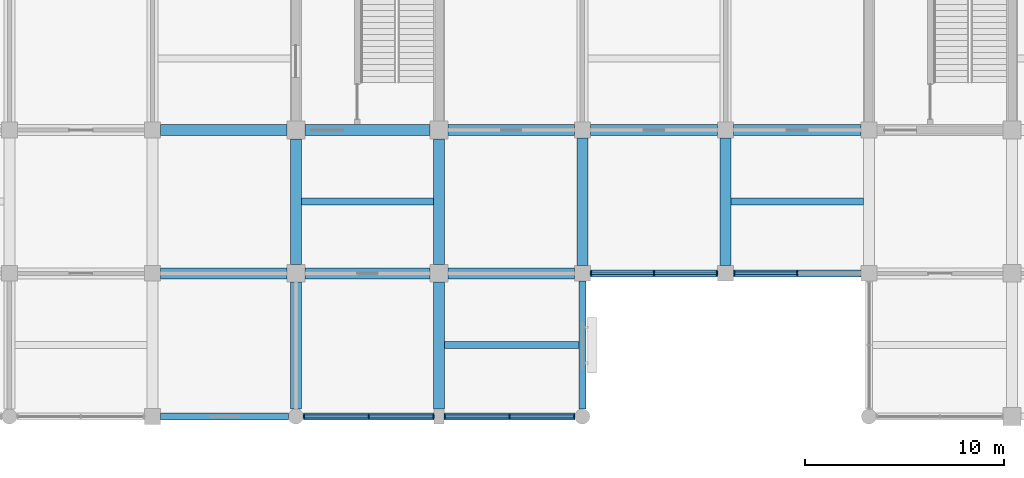
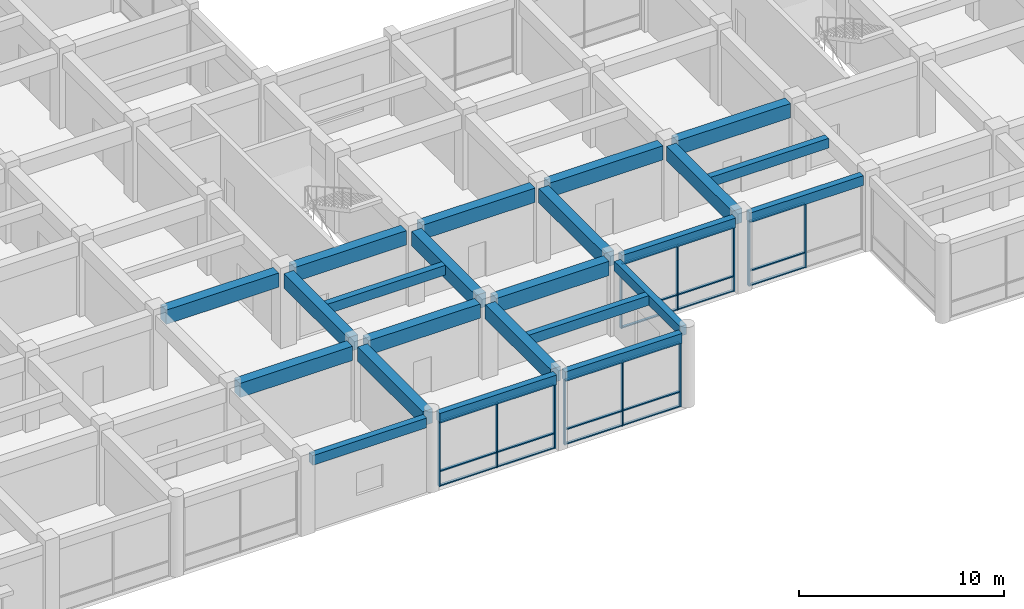
# One storey, part 12 of 75: 32 members, 23 beams, 4 elements without a shape of their own.
"""IFC4 building model written with IfcOpenShell, lengths in metres."""

from ifc_helpers import new_model, si_unit, direction, frame, origin, origin_2d, place, context, subcontext, project, spatial, rectangle, extrude, material, layer, layer_set, material_profile, profile_set, type_object, element, aggregate, save


model = new_model("IFC4")

# Units and contexts
model_context = context("Model", 3, precision=1e-05, world=origin(), true_north=direction((0.0, 1.0)))
body_context = subcontext(model_context, "Body", "Model", "MODEL_VIEW")
ifc_project = project(units=[si_unit("LENGTHUNIT", "METRE"), si_unit("AREAUNIT", "SQUARE_METRE"), si_unit("VOLUMEUNIT", "CUBIC_METRE"), si_unit("PLANEANGLEUNIT", "RADIAN"), si_unit("MASSUNIT", "GRAM", prefix="KILO")], contexts=[model_context])

# Site, building, storey
site_placement = place(None, origin())
site = spatial("IfcSite", under=ifc_project, at=site_placement, CompositionType="ELEMENT")
building_placement = place(site_placement, origin())
building = spatial("IfcBuilding", under=site, at=building_placement, Name="Cendaluz Park School", CompositionType="ELEMENT")
storey_placement = place(building_placement, frame((0.0, 0.0, 4.800048828125)))
storey = spatial("IfcBuildingStorey", under=building, at=storey_placement, Name="L01", CompositionType="ELEMENT", Elevation=4.800048828125)

# Beams
ifc_material_1 = material(Name="Concrete C40/50", Category="concrete")
ifc_material_profile_1 = material_profile(ifc_material_1, rectangle(XDim=0.550048828125, YDim=0.85009765625, at=origin_2d()), Name="RC 550x850", Category="concrete")
ifc_profile_set_1 = profile_set([ifc_material_profile_1], Name="Concrete C40/50")
beam_type_1 = type_object("IfcBeamType", Name="BM-RC01", PredefinedType="BEAM", material=ifc_profile_set_1)
for number, where, z_axis, x_axis, name in (
    (1, (94.0, 7.199951171875, 4.0048828125), (1.0, 0.0, 0.0), (0.0, 1.0, 0.0), "BM-L01-BMRC01-0125"),
    (2, (94.0, 14.39990234375, 4.0048828125), (1.0, 0.0, 0.0), (0.0, 1.0, 0.0), "BM-L01-BMRC01-0126"),
):
    element("IfcBeam", number, at=place(storey_placement, frame(where, z_axis=z_axis, x_axis=x_axis)), inside=storey, type_object=beam_type_1, Name=name, PredefinedType="BEAM", context=body_context, shape_type="SweptSolid", body=[
        extrude(rectangle(XDim=0.550048828125, YDim=0.85009765625, at=origin_2d()), origin(), (0.0, 0.0, 1.0), 6.35009765625),
    ])
for number, where, z_axis, x_axis, name in (
    (3, (101.25, 7.199951171875, 4.0048828125), (1.0, 0.0, 0.0), (0.0, 1.0, 0.0), "BM-L01-BMRC01-0136"),
    (4, (101.25, 14.39990234375, 4.0048828125), (1.0, 0.0, 0.0), (0.0, 1.0, 0.0), "BM-L01-BMRC01-0137"),
):
    element("IfcBeam", number, at=place(storey_placement, frame(where, z_axis=z_axis, x_axis=x_axis)), inside=storey, type_object=beam_type_1, Name=name, PredefinedType="BEAM", context=body_context, shape_type="SweptSolid", body=[
        extrude(rectangle(XDim=0.550048828125, YDim=0.85009765625, at=origin_2d()), origin(), (0.0, 0.0, 1.0), 6.300048828125),
    ])
for number, where, z_axis, x_axis, name in (
    (5, (108.449951171875, 7.199951171875, 4.0048828125), (1.0, 0.0, 0.0), (0.0, 1.0, 0.0), "BM-L01-BMRC01-0145"),
    (6, (108.449951171875, 14.39990234375, 4.0048828125), (1.0, 0.0, 0.0), (0.0, 1.0, 0.0), "BM-L01-BMRC01-0146"),
):
    element("IfcBeam", number, at=place(storey_placement, frame(where, z_axis=z_axis, x_axis=x_axis)), inside=storey, type_object=beam_type_1, Name=name, PredefinedType="BEAM", context=body_context, shape_type="SweptSolid", body=[
        extrude(rectangle(XDim=0.550048828125, YDim=0.85009765625, at=origin_2d()), origin(), (0.0, 0.0, 1.0), 6.35009765625),
    ])
for number, where, z_axis, x_axis, name in (
    (7, (115.60009765625, 14.39990234375, 4.0048828125), (1.0, 0.0, 0.0), (0.0, 1.0, 0.0), "BM-L01-BMRC01-0150"),
    (8, (122.800048828125, 14.39990234375, 4.0048828125), (1.0, 0.0, 0.0), (0.0, 1.0, 0.0), "BM-L01-BMRC01-0154"),
):
    element("IfcBeam", number, at=place(storey_placement, frame(where, z_axis=z_axis, x_axis=x_axis)), inside=storey, type_object=beam_type_1, Name=name, PredefinedType="BEAM", context=body_context, shape_type="SweptSolid", body=[
        extrude(rectangle(XDim=0.550048828125, YDim=0.85009765625, at=origin_2d()), origin(), (0.0, 0.0, 1.0), 6.39990234375),
    ])
beam_1_placement = place(storey_placement, frame((100.800048828125, 0.375, 4.0048828125), z_axis=(0.0, 1.0, 0.0), x_axis=(-1.0, 0.0, 0.0)))
element("IfcBeam", 9, at=beam_1_placement, inside=storey, type_object=beam_type_1, Name="BM-L01-BMRC01-0360", PredefinedType="BEAM", context=body_context, shape_type="SweptSolid", body=[
    extrude(rectangle(XDim=0.550048828125, YDim=0.85009765625, at=origin_2d()), origin(), (0.0, 0.0, 1.0), 6.375),
])
beam_2_placement = place(storey_placement, frame((100.800048828125, 7.64990234375, 4.0048828125), z_axis=(0.0, 1.0, 0.0), x_axis=(-1.0, 0.0, 0.0)))
element("IfcBeam", 10, at=beam_2_placement, inside=storey, type_object=beam_type_1, Name="BM-L01-BMRC01-0361", PredefinedType="BEAM", context=body_context, shape_type="SweptSolid", body=[
    extrude(rectangle(XDim=0.550048828125, YDim=0.85009765625, at=origin_2d()), origin(), (0.0, 0.0, 1.0), 6.300048828125),
])
beam_3_placement = place(storey_placement, frame((108.0, 0.375, 4.0048828125), z_axis=(0.0, 1.0, 0.0), x_axis=(-1.0, 0.0, 0.0)))
element("IfcBeam", 11, at=beam_3_placement, inside=storey, type_object=beam_type_1, Name="BM-L01-BMRC01-0370", PredefinedType="BEAM", context=body_context, shape_type="SweptSolid", body=[
    extrude(rectangle(XDim=0.550048828125, YDim=0.85009765625, at=origin_2d()), origin(), (0.0, 0.0, 1.0), 6.375),
])
beam_4_placement = place(storey_placement, frame((108.0, 7.64990234375, 4.0048828125), z_axis=(0.0, 1.0, 0.0), x_axis=(-1.0, 0.0, 0.0)))
element("IfcBeam", 12, at=beam_4_placement, inside=storey, type_object=beam_type_1, Name="BM-L01-BMRC01-0371", PredefinedType="BEAM", context=body_context, shape_type="SweptSolid", body=[
    extrude(rectangle(XDim=0.550048828125, YDim=0.85009765625, at=origin_2d()), origin(), (0.0, 0.0, 1.0), 6.300048828125),
])
for number, where, z_axis, x_axis, name in (
    (13, (115.199951171875, 7.60009765625, 4.0048828125), (0.0, 1.0, 0.0), (-1.0, 0.0, 0.0), "BM-L01-BMRC01-0381"),
    (14, (122.39990234375, 7.60009765625, 4.0048828125), (0.0, 1.0, 0.0), (-1.0, 0.0, 0.0), "BM-L01-BMRC01-0384"),
):
    element("IfcBeam", number, at=place(storey_placement, frame(where, z_axis=z_axis, x_axis=x_axis)), inside=storey, type_object=beam_type_1, Name=name, PredefinedType="BEAM", context=body_context, shape_type="SweptSolid", body=[
        extrude(rectangle(XDim=0.550048828125, YDim=0.85009765625, at=origin_2d()), origin(), (0.0, 0.0, 1.0), 6.39990234375),
    ])
ifc_material_profile_2 = material_profile(ifc_material_1, rectangle(XDim=0.35009765625, YDim=0.580078125, at=origin_2d()), Name="RC 350x580", Category="concrete")
ifc_profile_set_2 = profile_set([ifc_material_profile_2], Name="Concrete C40/50")
beam_type_2 = type_object("IfcBeamType", Name="BM-RC04", PredefinedType="LINTEL", material=ifc_profile_set_2)
beam_5_placement = place(storey_placement, frame((94.0, 0.0, 4.139892578125), z_axis=(1.0, 0.0, 0.0), x_axis=(0.0, 1.0, 0.0)))
element("IfcBeam", 15, at=beam_5_placement, inside=storey, type_object=beam_type_2, Name="BM-L01-BMRC04-0124", PredefinedType="LINTEL", context=body_context, shape_type="SweptSolid", body=[
    extrude(rectangle(XDim=0.35009765625, YDim=0.580078125, at=origin_2d()), origin(), (0.0, 0.0, 1.0), 6.425048828125),
])
for number, where, z_axis, x_axis, name in (
    (16, (101.175048828125, 0.0, 4.139892578125), (1.0, 0.0, 0.0), (0.0, 1.0, 0.0), "BM-L01-BMRC04-0135"),
    (17, (108.25, 0.0, 4.139892578125), (1.0, 0.0, 0.0), (0.0, 1.0, 0.0), "BM-L01-BMRC04-0144"),
):
    element("IfcBeam", number, at=place(storey_placement, frame(where, z_axis=z_axis, x_axis=x_axis)), inside=storey, type_object=beam_type_2, Name=name, PredefinedType="LINTEL", context=body_context, shape_type="SweptSolid", body=[
        extrude(rectangle(XDim=0.35009765625, YDim=0.580078125, at=origin_2d()), origin(), (0.0, 0.0, 1.0), 6.574951171875),
    ])
for number, where, z_axis, x_axis, name in (
    (18, (115.60009765625, 7.199951171875, 4.139892578125), (1.0, 0.0, 0.0), (0.0, 1.0, 0.0), "BM-L01-BMRC04-0149"),
    (19, (122.800048828125, 7.199951171875, 4.139892578125), (1.0, 0.0, 0.0), (0.0, 1.0, 0.0), "BM-L01-BMRC04-0153"),
):
    element("IfcBeam", number, at=place(storey_placement, frame(where, z_axis=z_axis, x_axis=x_axis)), inside=storey, type_object=beam_type_2, Name=name, PredefinedType="LINTEL", context=body_context, shape_type="SweptSolid", body=[
        extrude(rectangle(XDim=0.35009765625, YDim=0.580078125, at=origin_2d()), origin(), (0.0, 0.0, 1.0), 6.39990234375),
    ])
beam_6_placement = place(storey_placement, frame((115.199951171875, 0.375, 4.139892578125), z_axis=(0.0, 1.0, 0.0), x_axis=(-1.0, 0.0, 0.0)))
element("IfcBeam", 20, at=beam_6_placement, inside=storey, type_object=beam_type_2, Name="BM-L01-BMRC04-0380", PredefinedType="LINTEL", context=body_context, shape_type="SweptSolid", body=[
    extrude(rectangle(XDim=0.35009765625, YDim=0.580078125, at=origin_2d()), origin(), (0.0, 0.0, 1.0), 6.425048828125),
])

# Curtain wall, members
ifc_material_2 = material(Name="Anodised Aluminium 6063-T6", Category="aluminium")
ifc_layer_1 = layer(ifc_material_2, 0.179931640625)
ifc_layer_set_1 = layer_set([ifc_layer_1], Name="Anodised Aluminium 6063-T6")
curtain_wall_type_1 = type_object("IfcCurtainWallType", Name="CW-132x77", PredefinedType="NOTDEFINED", material=ifc_layer_set_1)
curtain_wall_1_placement = place(storey_placement, origin())
curtain_wall_1 = element("IfcCurtainWall", 21, at=curtain_wall_1_placement, inside=storey, type_object=curtain_wall_type_1, Name="CW-L01-048", PredefinedType="NOTDEFINED")
ifc_material_profile_3 = material_profile(ifc_material_2, rectangle(XDim=0.179931640625, YDim=0.070068359375, at=origin_2d()), Name="CWM 180x70", Category="aluminium")
ifc_profile_set_3 = profile_set([ifc_material_profile_3], Name="Anodised Aluminium 6063-T6")
member_type_1 = type_object("IfcMemberType", Name="CWM-01", PredefinedType="MULLION", material=ifc_profile_set_3)
member_1_placement = place(storey_placement, frame((101.2099609375, 0.0, 0.0), z_axis=(0.0, 0.0, 1.0), x_axis=(0.0, 1.0, 0.0)))
member_1 = element("IfcMember", 22, at=member_1_placement, type_object=member_type_1, Name="CP-L01-0612", PredefinedType="MULLION", context=body_context, shape_type="SweptSolid", body=[
    extrude(rectangle(XDim=0.179931640625, YDim=0.070068359375, at=origin_2d()), origin(), (0.0, 0.0, 1.0), 3.849853515625),
])
member_2_placement = place(storey_placement, frame((104.46240234375, 0.0, 0.0), z_axis=(0.0, 0.0, 1.0), x_axis=(0.0, 1.0, 0.0)))
member_2 = element("IfcMember", 23, at=member_2_placement, type_object=member_type_1, Name="CP-L01-0613", PredefinedType="MULLION", context=body_context, shape_type="SweptSolid", body=[
    extrude(rectangle(XDim=0.179931640625, YDim=0.070068359375, at=origin_2d()), origin(), (0.0, 0.0, 1.0), 3.849853515625),
])
member_3_placement = place(storey_placement, frame((107.715087890625, 0.0, 0.0), z_axis=(0.0, 0.0, 1.0), x_axis=(0.0, 1.0, 0.0)))
member_3 = element("IfcMember", 24, at=member_3_placement, type_object=member_type_1, Name="CP-L01-0614", PredefinedType="MULLION", context=body_context, shape_type="SweptSolid", body=[
    extrude(rectangle(XDim=0.179931640625, YDim=0.070068359375, at=origin_2d()), origin(), (0.0, 0.0, 1.0), 3.849853515625),
])

curtain_wall_2_placement = place(storey_placement, origin())
curtain_wall_2 = element("IfcCurtainWall", 25, at=curtain_wall_2_placement, inside=storey, type_object=curtain_wall_type_1, Name="CW-L01-053", PredefinedType="NOTDEFINED")
member_4_placement = place(storey_placement, frame((108.284912109375, 0.0, 0.0), z_axis=(0.0, 0.0, 1.0), x_axis=(0.0, 1.0, 0.0)))
member_4 = element("IfcMember", 26, at=member_4_placement, type_object=member_type_1, Name="CP-L01-0677", PredefinedType="MULLION", context=body_context, shape_type="SweptSolid", body=[
    extrude(rectangle(XDim=0.179931640625, YDim=0.070068359375, at=origin_2d()), origin(), (0.0, 0.0, 1.0), 3.849853515625),
])
member_5_placement = place(storey_placement, frame((111.53759765625, 0.0, 0.0), z_axis=(0.0, 0.0, 1.0), x_axis=(0.0, 1.0, 0.0)))
member_5 = element("IfcMember", 27, at=member_5_placement, type_object=member_type_1, Name="CP-L01-0678", PredefinedType="MULLION", context=body_context, shape_type="SweptSolid", body=[
    extrude(rectangle(XDim=0.179931640625, YDim=0.070068359375, at=origin_2d()), origin(), (0.0, 0.0, 1.0), 3.849853515625),
])
member_6_placement = place(storey_placement, frame((114.7900390625, 0.0, 0.0), z_axis=(0.0, 0.0, 1.0), x_axis=(0.0, 1.0, 0.0)))
member_6 = element("IfcMember", 28, at=member_6_placement, type_object=member_type_1, Name="CP-L01-0679", PredefinedType="MULLION", context=body_context, shape_type="SweptSolid", body=[
    extrude(rectangle(XDim=0.179931640625, YDim=0.070068359375, at=origin_2d()), origin(), (0.0, 0.0, 1.0), 3.849853515625),
])

ifc_layer_2 = layer(ifc_material_2, 0.179931640625)
ifc_layer_set_2 = layer_set([ifc_layer_2], Name="Anodised Aluminium 6063-T6")
curtain_wall_type_2 = type_object("IfcCurtainWallType", Name="CW-128x77", PredefinedType="NOTDEFINED", material=ifc_layer_set_2)
curtain_wall_3_placement = place(storey_placement, origin())
curtain_wall_3 = element("IfcCurtainWall", 29, at=curtain_wall_3_placement, inside=storey, type_object=curtain_wall_type_2, Name="CW-L01-054", PredefinedType="NOTDEFINED")
member_7_placement = place(storey_placement, frame((115.635009765625, 7.199951171875, 0.0), z_axis=(0.0, 0.0, 1.0), x_axis=(0.0, 1.0, 0.0)))
member_7 = element("IfcMember", 30, at=member_7_placement, type_object=member_type_1, Name="CP-L01-0690", PredefinedType="MULLION", context=body_context, shape_type="SweptSolid", body=[
    extrude(rectangle(XDim=0.179931640625, YDim=0.070068359375, at=origin_2d()), origin(), (0.0, 0.0, 1.0), 3.849853515625),
])
member_8_placement = place(storey_placement, frame((118.800048828125, 7.199951171875, 0.0), z_axis=(0.0, 0.0, 1.0), x_axis=(0.0, 1.0, 0.0)))
member_8 = element("IfcMember", 31, at=member_8_placement, type_object=member_type_1, Name="CP-L01-0691", PredefinedType="MULLION", context=body_context, shape_type="SweptSolid", body=[
    extrude(rectangle(XDim=0.179931640625, YDim=0.070068359375, at=origin_2d()), origin(), (0.0, 0.0, 1.0), 3.849853515625),
])
member_9_placement = place(storey_placement, frame((121.965087890625, 7.199951171875, 0.0), z_axis=(0.0, 0.0, 1.0), x_axis=(0.0, 1.0, 0.0)))
member_9 = element("IfcMember", 32, at=member_9_placement, type_object=member_type_1, Name="CP-L01-0692", PredefinedType="MULLION", context=body_context, shape_type="SweptSolid", body=[
    extrude(rectangle(XDim=0.179931640625, YDim=0.070068359375, at=origin_2d()), origin(), (0.0, 0.0, 1.0), 3.849853515625),
])

curtain_wall_4_placement = place(storey_placement, origin())
curtain_wall_4 = element("IfcCurtainWall", 33, at=curtain_wall_4_placement, inside=storey, type_object=curtain_wall_type_2, Name="CW-L01-056", PredefinedType="NOTDEFINED")
member_10_placement = place(storey_placement, frame((122.8349609375, 7.199951171875, 0.0), z_axis=(0.0, 0.0, 1.0), x_axis=(0.0, 1.0, 0.0)))
member_10 = element("IfcMember", 34, at=member_10_placement, type_object=member_type_1, Name="CP-L01-0716", PredefinedType="MULLION", context=body_context, shape_type="SweptSolid", body=[
    extrude(rectangle(XDim=0.179931640625, YDim=0.070068359375, at=origin_2d()), origin(), (0.0, 0.0, 1.0), 3.849853515625),
])
member_11_placement = place(storey_placement, frame((126.0, 7.199951171875, 0.0), z_axis=(0.0, 0.0, 1.0), x_axis=(0.0, 1.0, 0.0)))
member_11 = element("IfcMember", 35, at=member_11_placement, type_object=member_type_1, Name="CP-L01-0717", PredefinedType="MULLION", context=body_context, shape_type="SweptSolid", body=[
    extrude(rectangle(XDim=0.179931640625, YDim=0.070068359375, at=origin_2d()), origin(), (0.0, 0.0, 1.0), 3.849853515625),
])

# Member
ifc_material_profile_4 = material_profile(ifc_material_2, rectangle(XDim=0.139892578125, YDim=0.070068359375, at=origin_2d()), Name="CWT 140x70", Category="aluminium")
ifc_profile_set_4 = profile_set([ifc_material_profile_4], Name="Anodised Aluminium 6063-T6")
member_type_2 = type_object("IfcMemberType", Name="CWT-01", PredefinedType="USERDEFINED", material=ifc_profile_set_4)
member_12_placement = place(storey_placement, frame((101.2451171875, 0.0, 0.034912109375), z_axis=(1.0, 0.0, 0.0), x_axis=(0.0, 1.0, 0.0)))
member_12 = element("IfcMember", 36, at=member_12_placement, type_object=member_type_2, Name="CP-L01-0615", ObjectType="TRANSOM", PredefinedType="USERDEFINED", context=body_context, shape_type="SweptSolid", body=[
    extrude(rectangle(XDim=0.139892578125, YDim=0.070068359375, at=origin_2d()), origin(), (0.0, 0.0, 1.0), 3.182373046875),
])

member_13_placement = place(storey_placement, frame((101.2451171875, 0.0, 0.89990234375), z_axis=(1.0, 0.0, 0.0), x_axis=(0.0, 1.0, 0.0)))
member_13 = element("IfcMember", 37, at=member_13_placement, type_object=member_type_2, Name="CP-L01-0616", ObjectType="TRANSOM", PredefinedType="USERDEFINED", context=body_context, shape_type="SweptSolid", body=[
    extrude(rectangle(XDim=0.139892578125, YDim=0.070068359375, at=origin_2d()), origin(), (0.0, 0.0, 1.0), 3.182373046875),
])

member_14_placement = place(storey_placement, frame((101.2451171875, 0.0, 3.81494140625), z_axis=(1.0, 0.0, 0.0), x_axis=(0.0, 1.0, 0.0)))
member_14 = element("IfcMember", 38, at=member_14_placement, type_object=member_type_2, Name="CP-L01-0617", ObjectType="TRANSOM", PredefinedType="USERDEFINED", context=body_context, shape_type="SweptSolid", body=[
    extrude(rectangle(XDim=0.139892578125, YDim=0.070068359375, at=origin_2d()), origin(), (0.0, 0.0, 1.0), 3.182373046875),
])

member_15_placement = place(storey_placement, frame((104.49755859375, 0.0, 0.034912109375), z_axis=(1.0, 0.0, 0.0), x_axis=(0.0, 1.0, 0.0)))
member_15 = element("IfcMember", 39, at=member_15_placement, type_object=member_type_2, Name="CP-L01-0620", ObjectType="TRANSOM", PredefinedType="USERDEFINED", context=body_context, shape_type="SweptSolid", body=[
    extrude(rectangle(XDim=0.139892578125, YDim=0.070068359375, at=origin_2d()), origin(), (0.0, 0.0, 1.0), 3.182373046875),
])

member_16_placement = place(storey_placement, frame((104.49755859375, 0.0, 0.89990234375), z_axis=(1.0, 0.0, 0.0), x_axis=(0.0, 1.0, 0.0)))
member_16 = element("IfcMember", 40, at=member_16_placement, type_object=member_type_2, Name="CP-L01-0621", ObjectType="TRANSOM", PredefinedType="USERDEFINED", context=body_context, shape_type="SweptSolid", body=[
    extrude(rectangle(XDim=0.139892578125, YDim=0.070068359375, at=origin_2d()), origin(), (0.0, 0.0, 1.0), 3.182373046875),
])

member_17_placement = place(storey_placement, frame((104.49755859375, 0.0, 3.81494140625), z_axis=(1.0, 0.0, 0.0), x_axis=(0.0, 1.0, 0.0)))
member_17 = element("IfcMember", 41, at=member_17_placement, type_object=member_type_2, Name="CP-L01-0622", ObjectType="TRANSOM", PredefinedType="USERDEFINED", context=body_context, shape_type="SweptSolid", body=[
    extrude(rectangle(XDim=0.139892578125, YDim=0.070068359375, at=origin_2d()), origin(), (0.0, 0.0, 1.0), 3.182373046875),
])

aggregate(curtain_wall_1, [member_1, member_2, member_3, member_12, member_13, member_14, member_15, member_16, member_17])

member_18_placement = place(storey_placement, frame((108.320068359375, 0.0, 0.034912109375), z_axis=(1.0, 0.0, 0.0), x_axis=(0.0, 1.0, 0.0)))
member_18 = element("IfcMember", 42, at=member_18_placement, type_object=member_type_2, Name="CP-L01-0680", ObjectType="TRANSOM", PredefinedType="USERDEFINED", context=body_context, shape_type="SweptSolid", body=[
    extrude(rectangle(XDim=0.139892578125, YDim=0.070068359375, at=origin_2d()), origin(), (0.0, 0.0, 1.0), 3.182373046875),
])

member_19_placement = place(storey_placement, frame((108.320068359375, 0.0, 0.89990234375), z_axis=(1.0, 0.0, 0.0), x_axis=(0.0, 1.0, 0.0)))
member_19 = element("IfcMember", 43, at=member_19_placement, type_object=member_type_2, Name="CP-L01-0681", ObjectType="TRANSOM", PredefinedType="USERDEFINED", context=body_context, shape_type="SweptSolid", body=[
    extrude(rectangle(XDim=0.139892578125, YDim=0.070068359375, at=origin_2d()), origin(), (0.0, 0.0, 1.0), 3.182373046875),
])

member_20_placement = place(storey_placement, frame((108.320068359375, 0.0, 3.81494140625), z_axis=(1.0, 0.0, 0.0), x_axis=(0.0, 1.0, 0.0)))
member_20 = element("IfcMember", 44, at=member_20_placement, type_object=member_type_2, Name="CP-L01-0682", ObjectType="TRANSOM", PredefinedType="USERDEFINED", context=body_context, shape_type="SweptSolid", body=[
    extrude(rectangle(XDim=0.139892578125, YDim=0.070068359375, at=origin_2d()), origin(), (0.0, 0.0, 1.0), 3.182373046875),
])

member_21_placement = place(storey_placement, frame((111.572509765625, 0.0, 0.034912109375), z_axis=(1.0, 0.0, 0.0), x_axis=(0.0, 1.0, 0.0)))
member_21 = element("IfcMember", 45, at=member_21_placement, type_object=member_type_2, Name="CP-L01-0685", ObjectType="TRANSOM", PredefinedType="USERDEFINED", context=body_context, shape_type="SweptSolid", body=[
    extrude(rectangle(XDim=0.139892578125, YDim=0.070068359375, at=origin_2d()), origin(), (0.0, 0.0, 1.0), 3.182373046875),
])

member_22_placement = place(storey_placement, frame((111.572509765625, 0.0, 0.89990234375), z_axis=(1.0, 0.0, 0.0), x_axis=(0.0, 1.0, 0.0)))
member_22 = element("IfcMember", 46, at=member_22_placement, type_object=member_type_2, Name="CP-L01-0686", ObjectType="TRANSOM", PredefinedType="USERDEFINED", context=body_context, shape_type="SweptSolid", body=[
    extrude(rectangle(XDim=0.139892578125, YDim=0.070068359375, at=origin_2d()), origin(), (0.0, 0.0, 1.0), 3.182373046875),
])

member_23_placement = place(storey_placement, frame((111.572509765625, 0.0, 3.81494140625), z_axis=(1.0, 0.0, 0.0), x_axis=(0.0, 1.0, 0.0)))
member_23 = element("IfcMember", 47, at=member_23_placement, type_object=member_type_2, Name="CP-L01-0687", ObjectType="TRANSOM", PredefinedType="USERDEFINED", context=body_context, shape_type="SweptSolid", body=[
    extrude(rectangle(XDim=0.139892578125, YDim=0.070068359375, at=origin_2d()), origin(), (0.0, 0.0, 1.0), 3.182373046875),
])

aggregate(curtain_wall_2, [member_4, member_5, member_6, member_18, member_19, member_20, member_21, member_22, member_23])

member_24_placement = place(storey_placement, frame((115.669921875, 7.199951171875, 0.034912109375), z_axis=(1.0, 0.0, 0.0), x_axis=(0.0, 1.0, 0.0)))
member_24 = element("IfcMember", 48, at=member_24_placement, type_object=member_type_2, Name="CP-L01-0693", ObjectType="TRANSOM", PredefinedType="USERDEFINED", context=body_context, shape_type="SweptSolid", body=[
    extrude(rectangle(XDim=0.139892578125, YDim=0.070068359375, at=origin_2d()), origin(), (0.0, 0.0, 1.0), 3.094970703125),
])

member_25_placement = place(storey_placement, frame((115.669921875, 7.199951171875, 0.89990234375), z_axis=(1.0, 0.0, 0.0), x_axis=(0.0, 1.0, 0.0)))
member_25 = element("IfcMember", 49, at=member_25_placement, type_object=member_type_2, Name="CP-L01-0694", ObjectType="TRANSOM", PredefinedType="USERDEFINED", context=body_context, shape_type="SweptSolid", body=[
    extrude(rectangle(XDim=0.139892578125, YDim=0.070068359375, at=origin_2d()), origin(), (0.0, 0.0, 1.0), 3.094970703125),
])

member_26_placement = place(storey_placement, frame((115.669921875, 7.199951171875, 3.81494140625), z_axis=(1.0, 0.0, 0.0), x_axis=(0.0, 1.0, 0.0)))
member_26 = element("IfcMember", 50, at=member_26_placement, type_object=member_type_2, Name="CP-L01-0695", ObjectType="TRANSOM", PredefinedType="USERDEFINED", context=body_context, shape_type="SweptSolid", body=[
    extrude(rectangle(XDim=0.139892578125, YDim=0.070068359375, at=origin_2d()), origin(), (0.0, 0.0, 1.0), 3.094970703125),
])

member_27_placement = place(storey_placement, frame((118.8349609375, 7.199951171875, 0.034912109375), z_axis=(1.0, 0.0, 0.0), x_axis=(0.0, 1.0, 0.0)))
member_27 = element("IfcMember", 51, at=member_27_placement, type_object=member_type_2, Name="CP-L01-0698", ObjectType="TRANSOM", PredefinedType="USERDEFINED", context=body_context, shape_type="SweptSolid", body=[
    extrude(rectangle(XDim=0.139892578125, YDim=0.070068359375, at=origin_2d()), origin(), (0.0, 0.0, 1.0), 3.094970703125),
])

member_28_placement = place(storey_placement, frame((118.8349609375, 7.199951171875, 0.89990234375), z_axis=(1.0, 0.0, 0.0), x_axis=(0.0, 1.0, 0.0)))
member_28 = element("IfcMember", 52, at=member_28_placement, type_object=member_type_2, Name="CP-L01-0699", ObjectType="TRANSOM", PredefinedType="USERDEFINED", context=body_context, shape_type="SweptSolid", body=[
    extrude(rectangle(XDim=0.139892578125, YDim=0.070068359375, at=origin_2d()), origin(), (0.0, 0.0, 1.0), 3.094970703125),
])

member_29_placement = place(storey_placement, frame((118.8349609375, 7.199951171875, 3.81494140625), z_axis=(1.0, 0.0, 0.0), x_axis=(0.0, 1.0, 0.0)))
member_29 = element("IfcMember", 53, at=member_29_placement, type_object=member_type_2, Name="CP-L01-0700", ObjectType="TRANSOM", PredefinedType="USERDEFINED", context=body_context, shape_type="SweptSolid", body=[
    extrude(rectangle(XDim=0.139892578125, YDim=0.070068359375, at=origin_2d()), origin(), (0.0, 0.0, 1.0), 3.094970703125),
])

aggregate(curtain_wall_3, [member_7, member_8, member_9, member_24, member_25, member_26, member_27, member_28, member_29])

member_30_placement = place(storey_placement, frame((122.8701171875, 7.199951171875, 0.034912109375), z_axis=(1.0, 0.0, 0.0), x_axis=(0.0, 1.0, 0.0)))
member_30 = element("IfcMember", 54, at=member_30_placement, type_object=member_type_2, Name="CP-L01-0719", ObjectType="TRANSOM", PredefinedType="USERDEFINED", context=body_context, shape_type="SweptSolid", body=[
    extrude(rectangle(XDim=0.139892578125, YDim=0.070068359375, at=origin_2d()), origin(), (0.0, 0.0, 1.0), 3.094970703125),
])

member_31_placement = place(storey_placement, frame((122.8701171875, 7.199951171875, 0.89990234375), z_axis=(1.0, 0.0, 0.0), x_axis=(0.0, 1.0, 0.0)))
member_31 = element("IfcMember", 55, at=member_31_placement, type_object=member_type_2, Name="CP-L01-0720", ObjectType="TRANSOM", PredefinedType="USERDEFINED", context=body_context, shape_type="SweptSolid", body=[
    extrude(rectangle(XDim=0.139892578125, YDim=0.070068359375, at=origin_2d()), origin(), (0.0, 0.0, 1.0), 3.094970703125),
])

member_32_placement = place(storey_placement, frame((122.8701171875, 7.199951171875, 3.81494140625), z_axis=(1.0, 0.0, 0.0), x_axis=(0.0, 1.0, 0.0)))
member_32 = element("IfcMember", 56, at=member_32_placement, type_object=member_type_2, Name="CP-L01-0721", ObjectType="TRANSOM", PredefinedType="USERDEFINED", context=body_context, shape_type="SweptSolid", body=[
    extrude(rectangle(XDim=0.139892578125, YDim=0.070068359375, at=origin_2d()), origin(), (0.0, 0.0, 1.0), 3.094970703125),
])

aggregate(curtain_wall_4, [member_10, member_11, member_30, member_31, member_32])

# Beams
ifc_material_profile_5 = material_profile(ifc_material_1, rectangle(XDim=0.35009765625, YDim=0.580078125, at=origin_2d()), Name="RC 350x580", Category="concrete")
ifc_profile_set_5 = profile_set([ifc_material_profile_5], Name="Concrete C40/50")
beam_type_3 = type_object("IfcBeamType", Name="JT-RC01", PredefinedType="JOIST", material=ifc_profile_set_5)
beam_7_placement = place(storey_placement, frame((101.074951171875, 10.800048828125, 4.139892578125), z_axis=(1.0, 0.0, 0.0), x_axis=(0.0, 1.0, 0.0)))
element("IfcBeam", 57, at=beam_7_placement, inside=storey, type_object=beam_type_3, Name="BM-L01-JTRC01-0502", PredefinedType="JOIST", context=body_context, shape_type="SweptSolid", body=[
    extrude(rectangle(XDim=0.35009765625, YDim=0.580078125, at=origin_2d()), origin(), (0.0, 0.0, 1.0), 6.650146484375),
])
beam_8_placement = place(storey_placement, frame((108.27490234375, 3.60009765625, 4.139892578125), z_axis=(1.0, 0.0, 0.0), x_axis=(0.0, 1.0, 0.0)))
element("IfcBeam", 58, at=beam_8_placement, inside=storey, type_object=beam_type_3, Name="BM-L01-JTRC01-0504", PredefinedType="JOIST", context=body_context, shape_type="SweptSolid", body=[
    extrude(rectangle(XDim=0.35009765625, YDim=0.580078125, at=origin_2d()), origin(), (0.0, 0.0, 1.0), 6.75),
])
beam_9_placement = place(storey_placement, frame((122.675048828125, 10.800048828125, 4.139892578125), z_axis=(1.0, 0.0, 0.0), x_axis=(0.0, 1.0, 0.0)))
element("IfcBeam", 59, at=beam_9_placement, inside=storey, type_object=beam_type_3, Name="BM-L01-JTRC01-0507", PredefinedType="JOIST", context=body_context, shape_type="SweptSolid", body=[
    extrude(rectangle(XDim=0.35009765625, YDim=0.580078125, at=origin_2d()), origin(), (0.0, 0.0, 1.0), 6.64990234375),
])

save(model, "model.ifc")
